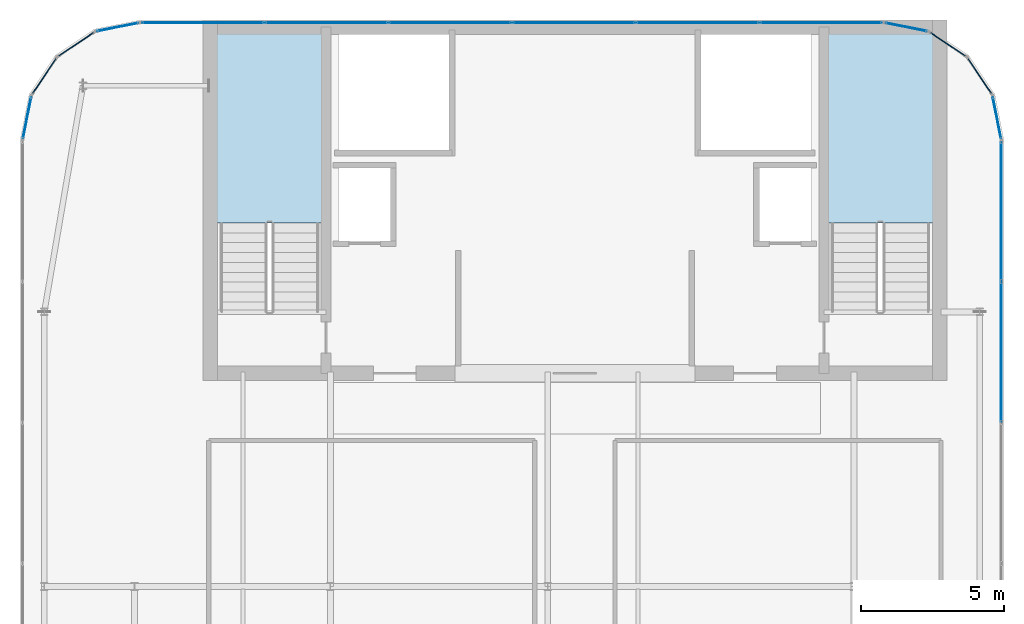
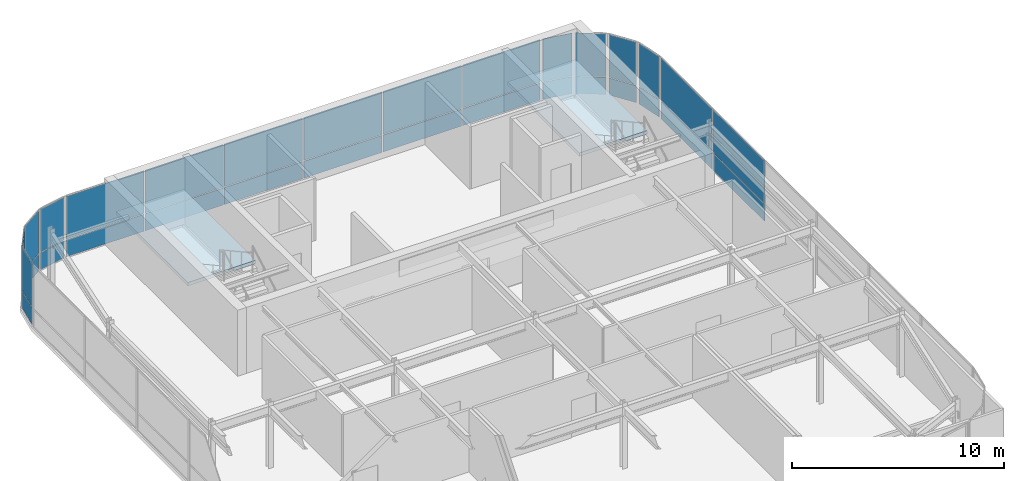
# One storey, part 30 of 36: 32 plates, 2 slabs, 12 elements without a shape of their own.
"""IFC4 building model written with IfcOpenShell, lengths in metres."""

from ifc_helpers import new_model, si_unit, direction, frame, origin, origin_2d, place, context, subcontext, project, spatial, polyline, rectangle, outline, extrude, source, transform, mapped, material, layer, layer_set, type_object, type_shapes, element, aggregate, save


model = new_model("IFC4")

# Units and contexts
model_context = context("Model", 3, precision=1e-05, world=origin(), true_north=direction((0.0, 1.0)))
body_context = subcontext(model_context, "Body", "Model", "MODEL_VIEW")
ifc_project = project(units=[si_unit("LENGTHUNIT", "METRE"), si_unit("AREAUNIT", "SQUARE_METRE"), si_unit("VOLUMEUNIT", "CUBIC_METRE"), si_unit("PLANEANGLEUNIT", "RADIAN"), si_unit("MASSUNIT", "GRAM", prefix="KILO")], contexts=[model_context])

# Site, building, storey
site_placement = place(None, origin())
site = spatial("IfcSite", under=ifc_project, at=site_placement, CompositionType="ELEMENT")
building_placement = place(site_placement, origin())
building = spatial("IfcBuilding", under=site, at=building_placement, Name="Tolvann Quenvar Hotel", CompositionType="ELEMENT")
storey_placement = place(building_placement, frame((0.0, 0.0, 302.35009765625)))
storey = spatial("IfcBuildingStorey", under=building, at=storey_placement, Name="L80", CompositionType="ELEMENT", Elevation=302.35009765625)

# Stair, slab
ifc_material_1 = material(Name="Concrete N40 (40 MPa)", Category="concrete")
stair_type = type_object("IfcStairType", Name="STAIR", PredefinedType="HALF_TURN_STAIR", material=ifc_material_1)
stair_1_placement = place(storey_placement, origin())
stair_1 = element("IfcStair", 1, at=stair_1_placement, inside=storey, type_object=stair_type, Name="L80 ST-C1", PredefinedType="HALF_TURN_STAIR")
ifc_layer_1 = layer(ifc_material_1, 0.199951171875)
ifc_layer_set_1 = layer_set([ifc_layer_1], Name="Concrete N40 (40 MPa)")
slab_type = type_object("IfcSlabType", Name="SLAB_LANDING", PredefinedType="LANDING", material=ifc_layer_set_1)
slab_1_placement = place(storey_placement, frame((0.0, 0.0, 1.699951171875)))
slab_1 = element("IfcSlab", 2, at=slab_1_placement, type_object=slab_type, Name="ST-C1 landing 1", PredefinedType="LANDING", context=body_context, shape_type="SweptSolid", body=[
    extrude(outline(polyline([(14.179931640625, 37.10498046875), (14.179931640625, 43.8798828125), (10.469970703125, 43.8798828125), (10.469970703125, 37.10498046875), (14.179931640625, 37.10498046875)])), origin(), (0.0, 0.0, 1.0), 0.199951171875),
])
aggregate(stair_1, [slab_1])

stair_2_placement = place(storey_placement, origin())
stair_2 = element("IfcStair", 3, at=stair_2_placement, inside=storey, type_object=stair_type, Name="L80 ST-C2", PredefinedType="HALF_TURN_STAIR")
slab_2_placement = place(storey_placement, frame((0.0, 0.0, 1.699951171875)))
slab_2 = element("IfcSlab", 4, at=slab_2_placement, type_object=slab_type, Name="ST-C2 landing 1", PredefinedType="LANDING", context=body_context, shape_type="SweptSolid", body=[
    extrude(outline(polyline([(35.530029296875, 37.10498046875), (35.530029296875, 43.8798828125), (31.820068359375, 43.8798828125), (31.820068359375, 37.10498046875), (35.530029296875, 37.10498046875)])), origin(), (0.0, 0.0, 1.0), 0.199951171875),
])
aggregate(stair_2, [slab_2])

# Curtain wall, plate
ifc_material_2 = material(Name="Thermally broken anodised architectural aluminium 6063-T6 and laminated low-E glass", Category="aluminium")
ifc_layer_2 = layer(ifc_material_2, 0.179931640625)
ifc_layer_set_2 = layer_set([ifc_layer_2], Name="Thermally broken anodised architectural aluminium 6063-T6 and laminated low-E glass")
curtain_wall_type = type_object("IfcCurtainWallType", Name="CW_SYS_LANT_06", PredefinedType="USERDEFINED", material=ifc_layer_set_2)
curtain_wall_1_placement = place(storey_placement, origin())
curtain_wall_1 = element("IfcCurtainWall", 5, at=curtain_wall_1_placement, inside=storey, type_object=curtain_wall_type, Name="Curtain Wall CW-LANT-06 (CWR-L80-E11)", ObjectType="UNITISED CURTAIN WALL", PredefinedType="USERDEFINED")
ifc_material_3 = material(Name="Diffused translucent ceramic-frit laminated lantern glass", Category="glass")
ifc_layer_3 = layer(ifc_material_3, 0.031982421875)
ifc_layer_set_3 = layer_set([ifc_layer_3], Name="Diffused translucent ceramic-frit laminated lantern glass")
plate_type = type_object("IfcPlateType", Name="CW_PAN_LANT_32", PredefinedType="CURTAIN_PANEL", material=ifc_layer_set_3)
shared_shape_1 = source(origin(), body_context, "Body", "SweptSolid", [
    extrude(rectangle(XDim=1.439208984375, YDim=0.031982421875, at=origin_2d()), origin(), (0.0, 0.0, 1.0), 0.97509765625),
])
plate_1_placement = place(storey_placement, frame((37.150146484375, 42.238525390625, 0.0498046875), z_axis=(0.0, 0.0, 1.0), x_axis=(-0.555655769644, 0.831412452193, 0.0)))
plate_1 = element("IfcPlate", 6, at=plate_1_placement, type_object=plate_type, Name="CW-LANT-06 panel 1.1", PredefinedType="CURTAIN_PANEL", context=body_context, shape_type="MappedRepresentation", body=[
    mapped(shared_shape_1, transform((0.0, 0.0, 0.0), x_axis=(1.0, 0.0, 0.0), y_axis=(0.0, 1.0, 0.0), z_axis=(0.0, 0.0, 1.0), scale=1.0)),
])

curtain_wall_2_placement = place(storey_placement, origin())
curtain_wall_2 = element("IfcCurtainWall", 7, at=curtain_wall_2_placement, inside=storey, type_object=curtain_wall_type, Name="Curtain Wall CW-LANT-06 (CWR-L80-E12)", ObjectType="UNITISED CURTAIN WALL", PredefinedType="USERDEFINED")
plate_2_placement = place(storey_placement, frame((36.03857421875, 43.350341796875, 0.0498046875), z_axis=(0.0, 0.0, 1.0), x_axis=(-0.831412452193, 0.555655769644, 0.0)))
plate_2 = element("IfcPlate", 8, at=plate_2_placement, type_object=plate_type, Name="CW-LANT-06 panel 1.1", PredefinedType="CURTAIN_PANEL", context=body_context, shape_type="MappedRepresentation", body=[
    mapped(shared_shape_1, transform((0.0, 0.0, 0.0), x_axis=(1.0, 0.0, 0.0), y_axis=(0.0, 1.0, 0.0), z_axis=(0.0, 0.0, 1.0), scale=1.0)),
])

curtain_wall_3_placement = place(storey_placement, origin())
curtain_wall_3 = element("IfcCurtainWall", 9, at=curtain_wall_3_placement, inside=storey, type_object=curtain_wall_type, Name="Curtain Wall CW-LANT-06 (CWR-L80-E16)", ObjectType="UNITISED CURTAIN WALL", PredefinedType="USERDEFINED")
plate_3_placement = place(storey_placement, frame((5.5615234375, 43.350341796875, 0.0498046875), z_axis=(0.0, 0.0, 1.0), x_axis=(-0.831412452193, -0.555655769644, 0.0)))
plate_3 = element("IfcPlate", 10, at=plate_3_placement, type_object=plate_type, Name="CW-LANT-06 panel 1.1", PredefinedType="CURTAIN_PANEL", context=body_context, shape_type="MappedRepresentation", body=[
    mapped(shared_shape_1, transform((0.0, 0.0, 0.0), x_axis=(1.0, 0.0, 0.0), y_axis=(0.0, 1.0, 0.0), z_axis=(0.0, 0.0, 1.0), scale=1.0)),
])

curtain_wall_4_placement = place(storey_placement, origin())
curtain_wall_4 = element("IfcCurtainWall", 11, at=curtain_wall_4_placement, inside=storey, type_object=curtain_wall_type, Name="Curtain Wall CW-LANT-06 (CWR-L80-E17)", ObjectType="UNITISED CURTAIN WALL", PredefinedType="USERDEFINED")
plate_4_placement = place(storey_placement, frame((4.44970703125, 42.238525390625, 0.0498046875), z_axis=(0.0, 0.0, 1.0), x_axis=(-0.555655769644, -0.831412452193, 0.0)))
plate_4 = element("IfcPlate", 12, at=plate_4_placement, type_object=plate_type, Name="CW-LANT-06 panel 1.1", PredefinedType="CURTAIN_PANEL", context=body_context, shape_type="MappedRepresentation", body=[
    mapped(shared_shape_1, transform((0.0, 0.0, 0.0), x_axis=(1.0, 0.0, 0.0), y_axis=(0.0, 1.0, 0.0), z_axis=(0.0, 0.0, 1.0), scale=1.0)),
])

# Plate
shared_shape_2 = source(origin(), body_context, "Body", "SweptSolid", [
    extrude(rectangle(XDim=1.439208984375, YDim=0.031982421875, at=origin_2d()), origin(), (0.0, 0.0, 1.0), 2.455078125),
])
plate_5_placement = place(storey_placement, frame((37.150146484375, 42.238525390625, 1.074951171875), z_axis=(0.0, 0.0, 1.0), x_axis=(-0.555655769644, 0.831412452193, 0.0)))
plate_5 = element("IfcPlate", 13, at=plate_5_placement, type_object=plate_type, Name="CW-LANT-06 panel 1.2", PredefinedType="CURTAIN_PANEL", context=body_context, shape_type="MappedRepresentation", body=[
    mapped(shared_shape_2, transform((0.0, 0.0, 0.0), x_axis=(1.0, 0.0, 0.0), y_axis=(0.0, 1.0, 0.0), z_axis=(0.0, 0.0, 1.0), scale=1.0)),
])

aggregate(curtain_wall_1, [plate_1, plate_5])

plate_6_placement = place(storey_placement, frame((36.03857421875, 43.350341796875, 1.074951171875), z_axis=(0.0, 0.0, 1.0), x_axis=(-0.831412452193, 0.555655769644, 0.0)))
plate_6 = element("IfcPlate", 14, at=plate_6_placement, type_object=plate_type, Name="CW-LANT-06 panel 1.2", PredefinedType="CURTAIN_PANEL", context=body_context, shape_type="MappedRepresentation", body=[
    mapped(shared_shape_2, transform((0.0, 0.0, 0.0), x_axis=(1.0, 0.0, 0.0), y_axis=(0.0, 1.0, 0.0), z_axis=(0.0, 0.0, 1.0), scale=1.0)),
])

aggregate(curtain_wall_2, [plate_2, plate_6])

plate_7_placement = place(storey_placement, frame((5.5615234375, 43.350341796875, 1.074951171875), z_axis=(0.0, 0.0, 1.0), x_axis=(-0.831412452193, -0.555655769644, 0.0)))
plate_7 = element("IfcPlate", 15, at=plate_7_placement, type_object=plate_type, Name="CW-LANT-06 panel 1.2", PredefinedType="CURTAIN_PANEL", context=body_context, shape_type="MappedRepresentation", body=[
    mapped(shared_shape_2, transform((0.0, 0.0, 0.0), x_axis=(1.0, 0.0, 0.0), y_axis=(0.0, 1.0, 0.0), z_axis=(0.0, 0.0, 1.0), scale=1.0)),
])

aggregate(curtain_wall_3, [plate_3, plate_7])

plate_8_placement = place(storey_placement, frame((4.44970703125, 42.238525390625, 1.074951171875), z_axis=(0.0, 0.0, 1.0), x_axis=(-0.555655769644, -0.831412452193, 0.0)))
plate_8 = element("IfcPlate", 16, at=plate_8_placement, type_object=plate_type, Name="CW-LANT-06 panel 1.2", PredefinedType="CURTAIN_PANEL", context=body_context, shape_type="MappedRepresentation", body=[
    mapped(shared_shape_2, transform((0.0, 0.0, 0.0), x_axis=(1.0, 0.0, 0.0), y_axis=(0.0, 1.0, 0.0), z_axis=(0.0, 0.0, 1.0), scale=1.0)),
])

aggregate(curtain_wall_4, [plate_4, plate_8])

# Curtain wall, plate
curtain_wall_5_placement = place(storey_placement, origin())
curtain_wall_5 = element("IfcCurtainWall", 17, at=curtain_wall_5_placement, inside=storey, type_object=curtain_wall_type, Name="Curtain Wall CW-LANT-06 (CWR-L80-E10)", ObjectType="UNITISED CURTAIN WALL", PredefinedType="USERDEFINED")
shared_shape_3 = source(origin(), body_context, "Body", "SweptSolid", [
    extrude(rectangle(XDim=1.456787109375, YDim=0.031982421875, at=origin_2d()), origin(), (0.0, 0.0, 1.0), 0.97509765625),
])
plate_9_placement = place(storey_placement, frame((37.753662109375, 40.777587890625, 0.0498046875), z_axis=(0.0, 0.0, 1.0), x_axis=(-0.195061569369, 0.980790999222, 0.0)))
plate_9 = element("IfcPlate", 18, at=plate_9_placement, type_object=plate_type, Name="CW-LANT-06 panel 1.1", PredefinedType="CURTAIN_PANEL", context=body_context, shape_type="MappedRepresentation", body=[
    mapped(shared_shape_3, transform((0.0, 0.0, 0.0), x_axis=(1.0, 0.0, 0.0), y_axis=(0.0, 1.0, 0.0), z_axis=(0.0, 0.0, 1.0), scale=1.0)),
])

curtain_wall_6_placement = place(storey_placement, origin())
curtain_wall_6 = element("IfcCurtainWall", 19, at=curtain_wall_6_placement, inside=storey, type_object=curtain_wall_type, Name="Curtain Wall CW-LANT-06 (CWR-L80-E13)", ObjectType="UNITISED CURTAIN WALL", PredefinedType="USERDEFINED")
plate_10_placement = place(storey_placement, frame((34.577392578125, 43.95361328125, 0.0498046875), z_axis=(0.0, 0.0, 1.0), x_axis=(-0.980790999222, 0.195061569369, 0.0)))
plate_10 = element("IfcPlate", 20, at=plate_10_placement, type_object=plate_type, Name="CW-LANT-06 panel 1.1", PredefinedType="CURTAIN_PANEL", context=body_context, shape_type="MappedRepresentation", body=[
    mapped(shared_shape_3, transform((0.0, 0.0, 0.0), x_axis=(1.0, 0.0, 0.0), y_axis=(0.0, 1.0, 0.0), z_axis=(0.0, 0.0, 1.0), scale=1.0)),
])

curtain_wall_7_placement = place(storey_placement, origin())
curtain_wall_7 = element("IfcCurtainWall", 21, at=curtain_wall_7_placement, inside=storey, type_object=curtain_wall_type, Name="Curtain Wall CW-LANT-06 (CWR-L80-E15)", ObjectType="UNITISED CURTAIN WALL", PredefinedType="USERDEFINED")
plate_11_placement = place(storey_placement, frame((7.0224609375, 43.95361328125, 0.0498046875), z_axis=(0.0, 0.0, 1.0), x_axis=(-0.980790999222, -0.195061569369, 0.0)))
plate_11 = element("IfcPlate", 22, at=plate_11_placement, type_object=plate_type, Name="CW-LANT-06 panel 1.1", PredefinedType="CURTAIN_PANEL", context=body_context, shape_type="MappedRepresentation", body=[
    mapped(shared_shape_3, transform((0.0, 0.0, 0.0), x_axis=(1.0, 0.0, 0.0), y_axis=(0.0, 1.0, 0.0), z_axis=(0.0, 0.0, 1.0), scale=1.0)),
])

curtain_wall_8_placement = place(storey_placement, origin())
curtain_wall_8 = element("IfcCurtainWall", 23, at=curtain_wall_8_placement, inside=storey, type_object=curtain_wall_type, Name="Curtain Wall CW-LANT-06 (CWR-L80-E18)", ObjectType="UNITISED CURTAIN WALL", PredefinedType="USERDEFINED")
plate_12_placement = place(storey_placement, frame((3.846435546875, 40.777587890625, 0.0498046875), z_axis=(0.0, 0.0, 1.0), x_axis=(-0.195061569369, -0.980790999222, 0.0)))
plate_12 = element("IfcPlate", 24, at=plate_12_placement, type_object=plate_type, Name="CW-LANT-06 panel 1.1", PredefinedType="CURTAIN_PANEL", context=body_context, shape_type="MappedRepresentation", body=[
    mapped(shared_shape_3, transform((0.0, 0.0, 0.0), x_axis=(1.0, 0.0, 0.0), y_axis=(0.0, 1.0, 0.0), z_axis=(0.0, 0.0, 1.0), scale=1.0)),
])

# Plate
shared_shape_4 = source(origin(), body_context, "Body", "SweptSolid", [
    extrude(rectangle(XDim=1.456787109375, YDim=0.031982421875, at=origin_2d()), origin(), (0.0, 0.0, 1.0), 2.455078125),
])
plate_13_placement = place(storey_placement, frame((37.753662109375, 40.777587890625, 1.074951171875), z_axis=(0.0, 0.0, 1.0), x_axis=(-0.195061569369, 0.980790999222, 0.0)))
plate_13 = element("IfcPlate", 25, at=plate_13_placement, type_object=plate_type, Name="CW-LANT-06 panel 1.2", PredefinedType="CURTAIN_PANEL", context=body_context, shape_type="MappedRepresentation", body=[
    mapped(shared_shape_4, transform((0.0, 0.0, 0.0), x_axis=(1.0, 0.0, 0.0), y_axis=(0.0, 1.0, 0.0), z_axis=(0.0, 0.0, 1.0), scale=1.0)),
])

aggregate(curtain_wall_5, [plate_9, plate_13])

plate_14_placement = place(storey_placement, frame((34.577392578125, 43.95361328125, 1.074951171875), z_axis=(0.0, 0.0, 1.0), x_axis=(-0.980790999222, 0.195061569369, 0.0)))
plate_14 = element("IfcPlate", 26, at=plate_14_placement, type_object=plate_type, Name="CW-LANT-06 panel 1.2", PredefinedType="CURTAIN_PANEL", context=body_context, shape_type="MappedRepresentation", body=[
    mapped(shared_shape_4, transform((0.0, 0.0, 0.0), x_axis=(1.0, 0.0, 0.0), y_axis=(0.0, 1.0, 0.0), z_axis=(0.0, 0.0, 1.0), scale=1.0)),
])

aggregate(curtain_wall_6, [plate_10, plate_14])

plate_15_placement = place(storey_placement, frame((7.0224609375, 43.95361328125, 1.074951171875), z_axis=(0.0, 0.0, 1.0), x_axis=(-0.980790999222, -0.195061569369, 0.0)))
plate_15 = element("IfcPlate", 27, at=plate_15_placement, type_object=plate_type, Name="CW-LANT-06 panel 1.2", PredefinedType="CURTAIN_PANEL", context=body_context, shape_type="MappedRepresentation", body=[
    mapped(shared_shape_4, transform((0.0, 0.0, 0.0), x_axis=(1.0, 0.0, 0.0), y_axis=(0.0, 1.0, 0.0), z_axis=(0.0, 0.0, 1.0), scale=1.0)),
])

aggregate(curtain_wall_7, [plate_11, plate_15])

plate_16_placement = place(storey_placement, frame((3.846435546875, 40.777587890625, 1.074951171875), z_axis=(0.0, 0.0, 1.0), x_axis=(-0.195061569369, -0.980790999222, 0.0)))
plate_16 = element("IfcPlate", 28, at=plate_16_placement, type_object=plate_type, Name="CW-LANT-06 panel 1.2", PredefinedType="CURTAIN_PANEL", context=body_context, shape_type="MappedRepresentation", body=[
    mapped(shared_shape_4, transform((0.0, 0.0, 0.0), x_axis=(1.0, 0.0, 0.0), y_axis=(0.0, 1.0, 0.0), z_axis=(0.0, 0.0, 1.0), scale=1.0)),
])

aggregate(curtain_wall_8, [plate_12, plate_16])

# Curtain wall, plates
curtain_wall_9_placement = place(storey_placement, origin())
curtain_wall_9 = element("IfcCurtainWall", 29, at=curtain_wall_9_placement, inside=storey, type_object=curtain_wall_type, Name="Curtain Wall CW-LANT-06 (CWR-L80-E14)", ObjectType="UNITISED CURTAIN WALL", PredefinedType="USERDEFINED")
shared_shape_5 = source(origin(), body_context, "Body", "SweptSolid", [
    extrude(rectangle(XDim=4.22998046875, YDim=0.031982421875, at=origin_2d()), origin(), (0.0, 0.0, 1.0), 0.97509765625),
])
plate_17_placement = place(storey_placement, frame((31.602783203125, 44.110107421875, 0.0498046875), z_axis=(0.0, 0.0, 1.0), x_axis=(-1.0, 0.0, 0.0)))
plate_17 = element("IfcPlate", 30, at=plate_17_placement, type_object=plate_type, Name="CW-LANT-06 panel 1.1", PredefinedType="CURTAIN_PANEL", context=body_context, shape_type="MappedRepresentation", body=[
    mapped(shared_shape_5, transform((0.0, 0.0, 0.0), x_axis=(1.0, 0.0, 0.0), y_axis=(0.0, 1.0, 0.0), z_axis=(0.0, 0.0, 1.0), scale=1.0)),
])
plate_18_placement = place(storey_placement, frame((9.997314453125, 44.110107421875, 0.0498046875), z_axis=(0.0, 0.0, 1.0), x_axis=(-1.0, 0.0, 0.0)))
plate_18 = element("IfcPlate", 31, at=plate_18_placement, type_object=plate_type, Name="CW-LANT-06 panel 6.1", PredefinedType="CURTAIN_PANEL", context=body_context, shape_type="MappedRepresentation", body=[
    mapped(shared_shape_5, transform((0.0, 0.0, 0.0), x_axis=(1.0, 0.0, 0.0), y_axis=(0.0, 1.0, 0.0), z_axis=(0.0, 0.0, 1.0), scale=1.0)),
])
shared_shape_6 = source(origin(), body_context, "Body", "SweptSolid", [
    extrude(rectangle(XDim=4.22998046875, YDim=0.031982421875, at=origin_2d()), origin(), (0.0, 0.0, 1.0), 2.455078125),
])
plate_19_placement = place(storey_placement, frame((31.602783203125, 44.110107421875, 1.074951171875), z_axis=(0.0, 0.0, 1.0), x_axis=(-1.0, 0.0, 0.0)))
plate_19 = element("IfcPlate", 32, at=plate_19_placement, type_object=plate_type, Name="CW-LANT-06 panel 1.2", PredefinedType="CURTAIN_PANEL", context=body_context, shape_type="MappedRepresentation", body=[
    mapped(shared_shape_6, transform((0.0, 0.0, 0.0), x_axis=(1.0, 0.0, 0.0), y_axis=(0.0, 1.0, 0.0), z_axis=(0.0, 0.0, 1.0), scale=1.0)),
])
plate_20_placement = place(storey_placement, frame((9.997314453125, 44.110107421875, 1.074951171875), z_axis=(0.0, 0.0, 1.0), x_axis=(-1.0, 0.0, 0.0)))
plate_20 = element("IfcPlate", 33, at=plate_20_placement, type_object=plate_type, Name="CW-LANT-06 panel 6.2", PredefinedType="CURTAIN_PANEL", context=body_context, shape_type="MappedRepresentation", body=[
    mapped(shared_shape_6, transform((0.0, 0.0, 0.0), x_axis=(1.0, 0.0, 0.0), y_axis=(0.0, 1.0, 0.0), z_axis=(0.0, 0.0, 1.0), scale=1.0)),
])
shared_shape_7 = source(origin(), body_context, "Body", "SweptSolid", [
    extrude(rectangle(XDim=4.2626953125, YDim=0.031982421875, at=origin_2d()), origin(), (0.0, 0.0, 1.0), 0.97509765625),
])
plate_21_placement = place(storey_placement, frame((27.29150390625, 44.110107421875, 0.0498046875), z_axis=(0.0, 0.0, 1.0), x_axis=(-1.0, 0.0, 0.0)))
plate_21 = element("IfcPlate", 34, at=plate_21_placement, type_object=plate_type, Name="CW-LANT-06 panel 2.1", PredefinedType="CURTAIN_PANEL", context=body_context, shape_type="MappedRepresentation", body=[
    mapped(shared_shape_7, transform((0.0, 0.0, 0.0), x_axis=(1.0, 0.0, 0.0), y_axis=(0.0, 1.0, 0.0), z_axis=(0.0, 0.0, 1.0), scale=1.0)),
])
plate_22_placement = place(storey_placement, frame((22.9638671875, 44.110107421875, 0.0498046875), z_axis=(0.0, 0.0, 1.0), x_axis=(-1.0, 0.0, 0.0)))
plate_22 = element("IfcPlate", 35, at=plate_22_placement, type_object=plate_type, Name="CW-LANT-06 panel 3.1", PredefinedType="CURTAIN_PANEL", context=body_context, shape_type="MappedRepresentation", body=[
    mapped(shared_shape_7, transform((0.0, 0.0, 0.0), x_axis=(1.0, 0.0, 0.0), y_axis=(0.0, 1.0, 0.0), z_axis=(0.0, 0.0, 1.0), scale=1.0)),
])
plate_23_placement = place(storey_placement, frame((18.63623046875, 44.110107421875, 0.0498046875), z_axis=(0.0, 0.0, 1.0), x_axis=(-1.0, 0.0, 0.0)))
plate_23 = element("IfcPlate", 36, at=plate_23_placement, type_object=plate_type, Name="CW-LANT-06 panel 4.1", PredefinedType="CURTAIN_PANEL", context=body_context, shape_type="MappedRepresentation", body=[
    mapped(shared_shape_7, transform((0.0, 0.0, 0.0), x_axis=(1.0, 0.0, 0.0), y_axis=(0.0, 1.0, 0.0), z_axis=(0.0, 0.0, 1.0), scale=1.0)),
])
plate_24_placement = place(storey_placement, frame((14.30859375, 44.110107421875, 0.0498046875), z_axis=(0.0, 0.0, 1.0), x_axis=(-1.0, 0.0, 0.0)))
plate_24 = element("IfcPlate", 37, at=plate_24_placement, type_object=plate_type, Name="CW-LANT-06 panel 5.1", PredefinedType="CURTAIN_PANEL", context=body_context, shape_type="MappedRepresentation", body=[
    mapped(shared_shape_7, transform((0.0, 0.0, 0.0), x_axis=(1.0, 0.0, 0.0), y_axis=(0.0, 1.0, 0.0), z_axis=(0.0, 0.0, 1.0), scale=1.0)),
])
shared_shape_8 = source(origin(), body_context, "Body", "SweptSolid", [
    extrude(rectangle(XDim=4.2626953125, YDim=0.031982421875, at=origin_2d()), origin(), (0.0, 0.0, 1.0), 2.455078125),
])
plate_25_placement = place(storey_placement, frame((27.29150390625, 44.110107421875, 1.074951171875), z_axis=(0.0, 0.0, 1.0), x_axis=(-1.0, 0.0, 0.0)))
plate_25 = element("IfcPlate", 38, at=plate_25_placement, type_object=plate_type, Name="CW-LANT-06 panel 2.2", PredefinedType="CURTAIN_PANEL", context=body_context, shape_type="MappedRepresentation", body=[
    mapped(shared_shape_8, transform((0.0, 0.0, 0.0), x_axis=(1.0, 0.0, 0.0), y_axis=(0.0, 1.0, 0.0), z_axis=(0.0, 0.0, 1.0), scale=1.0)),
])
plate_26_placement = place(storey_placement, frame((22.9638671875, 44.110107421875, 1.074951171875), z_axis=(0.0, 0.0, 1.0), x_axis=(-1.0, 0.0, 0.0)))
plate_26 = element("IfcPlate", 39, at=plate_26_placement, type_object=plate_type, Name="CW-LANT-06 panel 3.2", PredefinedType="CURTAIN_PANEL", context=body_context, shape_type="MappedRepresentation", body=[
    mapped(shared_shape_8, transform((0.0, 0.0, 0.0), x_axis=(1.0, 0.0, 0.0), y_axis=(0.0, 1.0, 0.0), z_axis=(0.0, 0.0, 1.0), scale=1.0)),
])
plate_27_placement = place(storey_placement, frame((18.63623046875, 44.110107421875, 1.074951171875), z_axis=(0.0, 0.0, 1.0), x_axis=(-1.0, 0.0, 0.0)))
plate_27 = element("IfcPlate", 40, at=plate_27_placement, type_object=plate_type, Name="CW-LANT-06 panel 4.2", PredefinedType="CURTAIN_PANEL", context=body_context, shape_type="MappedRepresentation", body=[
    mapped(shared_shape_8, transform((0.0, 0.0, 0.0), x_axis=(1.0, 0.0, 0.0), y_axis=(0.0, 1.0, 0.0), z_axis=(0.0, 0.0, 1.0), scale=1.0)),
])
plate_28_placement = place(storey_placement, frame((14.30859375, 44.110107421875, 1.074951171875), z_axis=(0.0, 0.0, 1.0), x_axis=(-1.0, 0.0, 0.0)))
plate_28 = element("IfcPlate", 41, at=plate_28_placement, type_object=plate_type, Name="CW-LANT-06 panel 5.2", PredefinedType="CURTAIN_PANEL", context=body_context, shape_type="MappedRepresentation", body=[
    mapped(shared_shape_8, transform((0.0, 0.0, 0.0), x_axis=(1.0, 0.0, 0.0), y_axis=(0.0, 1.0, 0.0), z_axis=(0.0, 0.0, 1.0), scale=1.0)),
])
aggregate(curtain_wall_9, [plate_17, plate_19, plate_21, plate_25, plate_22, plate_26, plate_23, plate_27, plate_24, plate_28, plate_18, plate_20])

curtain_wall_10_placement = place(storey_placement, origin())
curtain_wall_10 = element("IfcCurtainWall", 42, at=curtain_wall_10_placement, inside=storey, type_object=curtain_wall_type, Name="Curtain Wall CW-LANT-06 (CWR-L80-E09)", ObjectType="UNITISED CURTAIN WALL", PredefinedType="USERDEFINED")
shared_shape_9 = source(origin(), body_context, "Body", "SweptSolid", [
    extrude(rectangle(XDim=4.830078125, YDim=0.031982421875, at=origin_2d()), origin(), (0.0, 0.0, 1.0), 0.97509765625),
])
plate_29_placement = place(storey_placement, frame((37.909912109375, 37.502685546875, 0.0498046875), z_axis=(0.0, 0.0, 1.0), x_axis=(0.0, 1.0, 0.0)))
plate_29 = element("IfcPlate", 43, at=plate_29_placement, type_object=plate_type, Name="CW-LANT-06 panel 6.1", PredefinedType="CURTAIN_PANEL", context=body_context, shape_type="MappedRepresentation", body=[
    mapped(shared_shape_9, transform((0.0, 0.0, 0.0), x_axis=(1.0, 0.0, 0.0), y_axis=(0.0, 1.0, 0.0), z_axis=(0.0, 0.0, 1.0), scale=1.0)),
])
shared_shape_10 = source(origin(), body_context, "Body", "SweptSolid", [
    extrude(rectangle(XDim=4.830078125, YDim=0.031982421875, at=origin_2d()), origin(), (0.0, 0.0, 1.0), 2.455078125),
])
plate_30_placement = place(storey_placement, frame((37.909912109375, 37.502685546875, 1.074951171875), z_axis=(0.0, 0.0, 1.0), x_axis=(0.0, 1.0, 0.0)))
plate_30 = element("IfcPlate", 44, at=plate_30_placement, type_object=plate_type, Name="CW-LANT-06 panel 6.2", PredefinedType="CURTAIN_PANEL", context=body_context, shape_type="MappedRepresentation", body=[
    mapped(shared_shape_10, transform((0.0, 0.0, 0.0), x_axis=(1.0, 0.0, 0.0), y_axis=(0.0, 1.0, 0.0), z_axis=(0.0, 0.0, 1.0), scale=1.0)),
])
shared_shape_11 = source(origin(), body_context, "Body", "SweptSolid", [
    extrude(rectangle(XDim=4.862548828125, YDim=0.031982421875, at=origin_2d()), origin(), (0.0, 0.0, 1.0), 0.97509765625),
])
plate_31_placement = place(storey_placement, frame((37.909912109375, 32.59130859375, 0.0498046875), z_axis=(0.0, 0.0, 1.0), x_axis=(0.0, 1.0, 0.0)))
plate_31 = element("IfcPlate", 45, at=plate_31_placement, type_object=plate_type, Name="CW-LANT-06 panel 5.1", PredefinedType="CURTAIN_PANEL", context=body_context, shape_type="MappedRepresentation", body=[
    mapped(shared_shape_11, transform((0.0, 0.0, 0.0), x_axis=(1.0, 0.0, 0.0), y_axis=(0.0, 1.0, 0.0), z_axis=(0.0, 0.0, 1.0), scale=1.0)),
])
shared_shape_12 = source(origin(), body_context, "Body", "SweptSolid", [
    extrude(rectangle(XDim=4.862548828125, YDim=0.031982421875, at=origin_2d()), origin(), (0.0, 0.0, 1.0), 2.455078125),
])
type_shapes(plate_type, [shared_shape_1, shared_shape_2, shared_shape_3, shared_shape_4, shared_shape_5, shared_shape_6, shared_shape_7, shared_shape_8, shared_shape_9, shared_shape_10, shared_shape_11, shared_shape_12])
plate_32_placement = place(storey_placement, frame((37.909912109375, 32.59130859375, 1.074951171875), z_axis=(0.0, 0.0, 1.0), x_axis=(0.0, 1.0, 0.0)))
plate_32 = element("IfcPlate", 46, at=plate_32_placement, type_object=plate_type, Name="CW-LANT-06 panel 5.2", PredefinedType="CURTAIN_PANEL", context=body_context, shape_type="MappedRepresentation", body=[
    mapped(shared_shape_12, transform((0.0, 0.0, 0.0), x_axis=(1.0, 0.0, 0.0), y_axis=(0.0, 1.0, 0.0), z_axis=(0.0, 0.0, 1.0), scale=1.0)),
])
aggregate(curtain_wall_10, [plate_31, plate_32, plate_29, plate_30])

save(model, "model.ifc")
